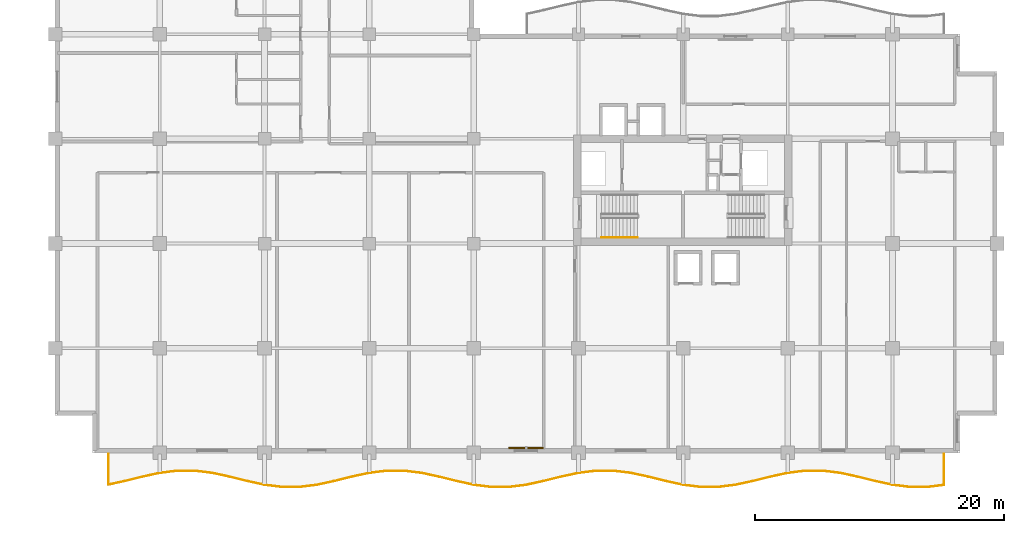
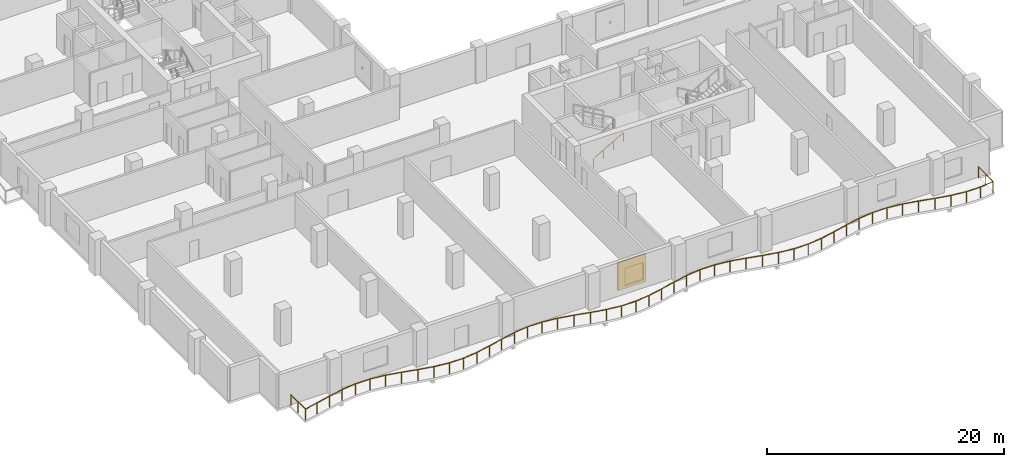
# One storey, part 12 of 15: 2 railings, 1 shading device.
"""IFC4 building model written with IfcOpenShell, lengths in metres."""

from ifc_helpers import new_model, si_unit, direction, frame, origin, origin_2d, place, context, subcontext, project, spatial, rectangle, circle, extrude, material, layer, layer_set, type_object, element, save


model = new_model("IFC4")

# Units and contexts
model_context = context("Model", 3, precision=1e-05, world=origin(), true_north=direction((0.0, 1.0)))
body_context = subcontext(model_context, "Body", "Model", "MODEL_VIEW")
ifc_project = project(units=[si_unit("LENGTHUNIT", "METRE"), si_unit("AREAUNIT", "SQUARE_METRE"), si_unit("VOLUMEUNIT", "CUBIC_METRE"), si_unit("PLANEANGLEUNIT", "RADIAN"), si_unit("MASSUNIT", "GRAM", prefix="KILO")], contexts=[model_context])

# Site, building, storey
site_placement = place(None, origin())
site = spatial("IfcSite", under=ifc_project, at=site_placement, CompositionType="ELEMENT")
building_placement = place(site_placement, origin())
building = spatial("IfcBuilding", under=site, at=building_placement, Name="Koriwani Terraces Tower", CompositionType="ELEMENT")
storey_placement = place(building_placement, frame((0.0, 0.0, 216.10009765625)))
storey = spatial("IfcBuildingStorey", under=building, at=storey_placement, Name="L53", CompositionType="ELEMENT", Elevation=216.10009765625)

# Railings
ifc_material_1 = material(Name="Steel ASTM A572 Grade 50", Category="steel")
railing_type_1 = type_object("IfcRailingType", Name="GUARD_BALUSTRADE_1150", PredefinedType="BALUSTRADE", material=ifc_material_1)
railing_1_placement = place(storey_placement, frame((4.280029296875, -0.080078125, 0.0)))
element("IfcRailing", 1, at=railing_1_placement, inside=storey, type_object=railing_type_1, Name="L53 Balcony Perimeter Safety Balustrade (S)", PredefinedType="BALUSTRADE", context=body_context, shape_type="SweptSolid", body=[
    extrude(circle(Radius=0.02392578125, at=origin_2d()), frame((0.0, 0.0, 1.1259765625), z_axis=(0.0, -1.0, 0.0), x_axis=(1.0, 0.0, 0.0)), (0.0, 0.0, 1.0), 2.47314453125),
    extrude(circle(Radius=0.02392578125, at=origin_2d()), frame((0.0, -2.47314453125, 1.1259765625), z_axis=(0.977409048335, 0.211356457751, 0.0), x_axis=(-0.211356457751, 0.977409048335, 0.0)), (0.0, 0.0, 1.0), 1.331787109375),
    extrude(circle(Radius=0.02392578125, at=origin_2d()), frame((1.3017578125, -2.191650390625, 1.1259765625), z_axis=(0.970251871253, 0.242097720621, 0.0), x_axis=(-0.242097720621, 0.970251871253, 0.0)), (0.0, 0.0, 1.0), 1.443115234375),
    extrude(circle(Radius=0.02392578125, at=origin_2d()), frame((2.701904296875, -1.84228515625, 1.1259765625), z_axis=(0.977453031353, 0.21115295759, 0.0), x_axis=(-0.21115295759, 0.977453031353, 0.0)), (0.0, 0.0, 1.0), 1.437255859375),
    extrude(circle(Radius=0.02392578125, at=origin_2d()), frame((4.106689453125, -1.538818359375, 1.1259765625), z_axis=(0.992320166908, 0.123695943136, 0.0), x_axis=(-0.123695943136, 0.992320166908, 0.0)), (0.0, 0.0, 1.0), 1.419189453125),
    extrude(circle(Radius=0.02392578125, at=origin_2d()), frame((5.514892578125, -1.36328125, 1.1259765625), z_axis=(1.0, 0.0, 0.0), x_axis=(0.0, 1.0, 0.0)), (0.0, 0.0, 1.0), 1.41015625),
    extrude(circle(Radius=0.02392578125, at=origin_2d()), frame((6.925048828125, -1.36328125, 1.1259765625), z_axis=(0.992320166908, -0.123695943136, 0.0), x_axis=(0.123695943136, 0.992320166908, 0.0)), (0.0, 0.0, 1.0), 1.419189453125),
    extrude(circle(Radius=0.02392578125, at=origin_2d()), frame((8.333251953125, -1.538818359375, 1.1259765625), z_axis=(0.977453031353, -0.21115295759, 0.0), x_axis=(0.21115295759, 0.977453031353, 0.0)), (0.0, 0.0, 1.0), 1.437255859375),
    extrude(circle(Radius=0.02392578125, at=origin_2d()), frame((9.738037109375, -1.84228515625, 1.1259765625), z_axis=(0.970251871253, -0.242097720621, 0.0), x_axis=(0.242097720621, 0.970251871253, 0.0)), (0.0, 0.0, 1.0), 1.443115234375),
    extrude(circle(Radius=0.02392578125, at=origin_2d()), frame((11.13818359375, -2.191650390625, 1.1259765625), z_axis=(0.977402706702, -0.211385782237, 0.0), x_axis=(0.211385782237, 0.977402706702, 0.0)), (0.0, 0.0, 1.0), 1.427490234375),
    extrude(circle(Radius=0.02392578125, at=origin_2d()), frame((12.533447265625, -2.493408203125, 1.1259765625), z_axis=(0.992309982997, -0.123777613669, 0.0), x_axis=(0.123777613669, 0.992309982997, 0.0)), (0.0, 0.0, 1.0), 1.40234375),
    extrude(circle(Radius=0.02392578125, at=origin_2d()), frame((13.925048828125, -2.6669921875, 1.1259765625), z_axis=(1.0, 0.0, 0.0), x_axis=(0.0, 1.0, 0.0)), (0.0, 0.0, 1.0), 1.389892578125),
    extrude(circle(Radius=0.02392578125, at=origin_2d()), frame((15.31494140625, -2.6669921875, 1.1259765625), z_axis=(0.992309982997, 0.123777613669, 0.0), x_axis=(-0.123777613669, 0.992309982997, 0.0)), (0.0, 0.0, 1.0), 1.40234375),
    extrude(circle(Radius=0.02392578125, at=origin_2d()), frame((16.70654296875, -2.493408203125, 1.1259765625), z_axis=(0.977402706702, 0.211385782237, 0.0), x_axis=(-0.211385782237, 0.977402706702, 0.0)), (0.0, 0.0, 1.0), 1.427490234375),
    extrude(circle(Radius=0.02392578125, at=origin_2d()), frame((18.101806640625, -2.191650390625, 1.1259765625), z_axis=(0.970251871253, 0.242097720621, 0.0), x_axis=(-0.242097720621, 0.970251871253, 0.0)), (0.0, 0.0, 1.0), 1.443115234375),
    extrude(circle(Radius=0.02392578125, at=origin_2d()), frame((19.501953125, -1.84228515625, 1.1259765625), z_axis=(0.977445455552, 0.211188023857, 0.0), x_axis=(-0.211188023857, 0.977445455552, 0.0)), (0.0, 0.0, 1.0), 1.43701171875),
    extrude(circle(Radius=0.02392578125, at=origin_2d()), frame((20.906494140625, -1.538818359375, 1.1259765625), z_axis=(0.992322798546, 0.123674829633, 0.0), x_axis=(-0.123674829633, 0.992322798546, 0.0)), (0.0, 0.0, 1.0), 1.41943359375),
    extrude(circle(Radius=0.02392578125, at=origin_2d()), frame((22.31494140625, -1.36328125, 1.1259765625), z_axis=(1.0, 0.0, 0.0), x_axis=(0.0, 1.0, 0.0)), (0.0, 0.0, 1.0), 1.409912109375),
    extrude(circle(Radius=0.02392578125, at=origin_2d()), frame((23.724853515625, -1.36328125, 1.1259765625), z_axis=(0.992322798546, -0.123674829633, 0.0), x_axis=(0.123674829633, 0.992322798546, 0.0)), (0.0, 0.0, 1.0), 1.41943359375),
    extrude(circle(Radius=0.02392578125, at=origin_2d()), frame((25.13330078125, -1.538818359375, 1.1259765625), z_axis=(0.977453031353, -0.21115295759, 0.0), x_axis=(0.21115295759, 0.977453031353, 0.0)), (0.0, 0.0, 1.0), 1.437255859375),
    extrude(circle(Radius=0.02392578125, at=origin_2d()), frame((26.5380859375, -1.84228515625, 1.1259765625), z_axis=(0.970241952903, -0.242137466795, 0.0), x_axis=(0.242137466795, 0.970241952903, 0.0)), (0.0, 0.0, 1.0), 1.44287109375),
    extrude(circle(Radius=0.02392578125, at=origin_2d()), frame((27.93798828125, -2.191650390625, 1.1259765625), z_axis=(0.977402706702, -0.211385782237, 0.0), x_axis=(0.211385782237, 0.977402706702, 0.0)), (0.0, 0.0, 1.0), 1.427490234375),
    extrude(circle(Radius=0.02392578125, at=origin_2d()), frame((29.333251953125, -2.493408203125, 1.1259765625), z_axis=(0.992309982997, -0.123777613669, 0.0), x_axis=(0.123777613669, 0.992309982997, 0.0)), (0.0, 0.0, 1.0), 1.40234375),
    extrude(circle(Radius=0.02392578125, at=origin_2d()), frame((30.724853515625, -2.6669921875, 1.1259765625), z_axis=(1.0, 0.0, 0.0), x_axis=(0.0, 1.0, 0.0)), (0.0, 0.0, 1.0), 1.39013671875),
    extrude(circle(Radius=0.02392578125, at=origin_2d()), frame((32.114990234375, -2.6669921875, 1.1259765625), z_axis=(0.992309982997, 0.123777613669, 0.0), x_axis=(-0.123777613669, 0.992309982997, 0.0)), (0.0, 0.0, 1.0), 1.40234375),
    extrude(circle(Radius=0.02392578125, at=origin_2d()), frame((33.506591796875, -2.493408203125, 1.1259765625), z_axis=(0.977402706702, 0.211385782237, 0.0), x_axis=(-0.211385782237, 0.977402706702, 0.0)), (0.0, 0.0, 1.0), 1.427490234375),
    extrude(circle(Radius=0.02392578125, at=origin_2d()), frame((34.90185546875, -2.191650390625, 1.1259765625), z_axis=(0.970241952903, 0.242137466795, 0.0), x_axis=(-0.242137466795, 0.970241952903, 0.0)), (0.0, 0.0, 1.0), 1.44287109375),
    extrude(circle(Radius=0.02392578125, at=origin_2d()), frame((36.3017578125, -1.84228515625, 1.1259765625), z_axis=(0.977453031353, 0.21115295759, 0.0), x_axis=(-0.21115295759, 0.977453031353, 0.0)), (0.0, 0.0, 1.0), 1.437255859375),
    extrude(circle(Radius=0.02392578125, at=origin_2d()), frame((37.70654296875, -1.538818359375, 1.1259765625), z_axis=(0.992322798546, 0.123674829633, 0.0), x_axis=(-0.123674829633, 0.992322798546, 0.0)), (0.0, 0.0, 1.0), 1.41943359375),
    extrude(circle(Radius=0.02392578125, at=origin_2d()), frame((39.114990234375, -1.36328125, 1.1259765625), z_axis=(1.0, 0.0, 0.0), x_axis=(0.0, 1.0, 0.0)), (0.0, 0.0, 1.0), 1.409912109375),
    extrude(circle(Radius=0.02392578125, at=origin_2d()), frame((40.52490234375, -1.36328125, 1.1259765625), z_axis=(0.992322798546, -0.123674829633, 0.0), x_axis=(0.123674829633, 0.992322798546, 0.0)), (0.0, 0.0, 1.0), 1.41943359375),
    extrude(circle(Radius=0.02392578125, at=origin_2d()), frame((41.933349609375, -1.538818359375, 1.1259765625), z_axis=(0.977453031353, -0.21115295759, 0.0), x_axis=(0.21115295759, 0.977453031353, 0.0)), (0.0, 0.0, 1.0), 1.437255859375),
    extrude(circle(Radius=0.02392578125, at=origin_2d()), frame((43.338134765625, -1.84228515625, 1.1259765625), z_axis=(0.970241952903, -0.242137466795, 0.0), x_axis=(0.242137466795, 0.970241952903, 0.0)), (0.0, 0.0, 1.0), 1.44287109375),
    extrude(circle(Radius=0.02392578125, at=origin_2d()), frame((44.738037109375, -2.191650390625, 1.1259765625), z_axis=(0.977402706702, -0.211385782237, 0.0), x_axis=(0.211385782237, 0.977402706702, 0.0)), (0.0, 0.0, 1.0), 1.427490234375),
    extrude(circle(Radius=0.02392578125, at=origin_2d()), frame((46.13330078125, -2.493408203125, 1.1259765625), z_axis=(0.992309982997, -0.123777613669, 0.0), x_axis=(0.123777613669, 0.992309982997, 0.0)), (0.0, 0.0, 1.0), 1.40234375),
    extrude(circle(Radius=0.02392578125, at=origin_2d()), frame((47.52490234375, -2.6669921875, 1.1259765625), z_axis=(1.0, 0.0, 0.0), x_axis=(0.0, 1.0, 0.0)), (0.0, 0.0, 1.0), 1.39013671875),
    extrude(circle(Radius=0.02392578125, at=origin_2d()), frame((48.9150390625, -2.6669921875, 1.1259765625), z_axis=(0.992309982997, 0.123777613669, 0.0), x_axis=(-0.123777613669, 0.992309982997, 0.0)), (0.0, 0.0, 1.0), 1.40234375),
    extrude(circle(Radius=0.02392578125, at=origin_2d()), frame((50.306640625, -2.493408203125, 1.1259765625), z_axis=(0.977402706702, 0.211385782237, 0.0), x_axis=(-0.211385782237, 0.977402706702, 0.0)), (0.0, 0.0, 1.0), 1.427490234375),
    extrude(circle(Radius=0.02392578125, at=origin_2d()), frame((51.701904296875, -2.191650390625, 1.1259765625), z_axis=(0.970241952903, 0.242137466795, 0.0), x_axis=(-0.242137466795, 0.970241952903, 0.0)), (0.0, 0.0, 1.0), 1.44287109375),
    extrude(circle(Radius=0.02392578125, at=origin_2d()), frame((53.101806640625, -1.84228515625, 1.1259765625), z_axis=(0.977453031353, 0.21115295759, 0.0), x_axis=(-0.21115295759, 0.977453031353, 0.0)), (0.0, 0.0, 1.0), 1.437255859375),
    extrude(circle(Radius=0.02392578125, at=origin_2d()), frame((54.506591796875, -1.538818359375, 1.1259765625), z_axis=(0.992322798546, 0.123674829633, 0.0), x_axis=(-0.123674829633, 0.992322798546, 0.0)), (0.0, 0.0, 1.0), 1.41943359375),
    extrude(circle(Radius=0.02392578125, at=origin_2d()), frame((55.9150390625, -1.36328125, 1.1259765625), z_axis=(1.0, 0.0, 0.0), x_axis=(0.0, 1.0, 0.0)), (0.0, 0.0, 1.0), 1.409912109375),
    extrude(circle(Radius=0.02392578125, at=origin_2d()), frame((57.324951171875, -1.36328125, 1.1259765625), z_axis=(0.992322798546, -0.123674829633, 0.0), x_axis=(0.123674829633, 0.992322798546, 0.0)), (0.0, 0.0, 1.0), 1.41943359375),
    extrude(circle(Radius=0.02392578125, at=origin_2d()), frame((58.7333984375, -1.538818359375, 1.1259765625), z_axis=(0.977453031353, -0.21115295759, 0.0), x_axis=(0.21115295759, 0.977453031353, 0.0)), (0.0, 0.0, 1.0), 1.437255859375),
    extrude(circle(Radius=0.02392578125, at=origin_2d()), frame((60.13818359375, -1.84228515625, 1.1259765625), z_axis=(0.970241952903, -0.242137466795, 0.0), x_axis=(0.242137466795, 0.970241952903, 0.0)), (0.0, 0.0, 1.0), 1.44287109375),
    extrude(circle(Radius=0.02392578125, at=origin_2d()), frame((61.5380859375, -2.191650390625, 1.1259765625), z_axis=(0.977402706702, -0.211385782237, 0.0), x_axis=(0.211385782237, 0.977402706702, 0.0)), (0.0, 0.0, 1.0), 1.427490234375),
    extrude(circle(Radius=0.02392578125, at=origin_2d()), frame((62.933349609375, -2.493408203125, 1.1259765625), z_axis=(0.992309982997, -0.123777613669, 0.0), x_axis=(0.123777613669, 0.992309982997, 0.0)), (0.0, 0.0, 1.0), 1.40234375),
    extrude(circle(Radius=0.02392578125, at=origin_2d()), frame((64.324951171875, -2.6669921875, 1.1259765625), z_axis=(1.0, 0.0, 0.0), x_axis=(0.0, 1.0, 0.0)), (0.0, 0.0, 1.0), 1.39013671875),
    extrude(circle(Radius=0.02392578125, at=origin_2d()), frame((65.715087890625, -2.6669921875, 1.1259765625), z_axis=(0.992308789115, 0.123787184491, 0.0), x_axis=(-0.123787184491, 0.992308789115, 0.0)), (0.0, 0.0, 1.0), 1.335205078125),
    extrude(circle(Radius=0.02392578125, at=origin_2d()), frame((67.0400390625, -2.501708984375, 1.1259765625), z_axis=(0.0, 1.0, 0.0), x_axis=(-1.0, 0.0, 0.0)), (0.0, 0.0, 1.0), 2.501708984375),
    extrude(circle(Radius=0.02099609375, at=origin_2d()), origin(), (0.0, 0.0, 1.0), 1.101806640625),
    extrude(circle(Radius=0.02099609375, at=origin_2d()), frame((0.0, -1.236572265625, 0.0)), (0.0, 0.0, 1.0), 1.101806640625),
    extrude(circle(Radius=0.02099609375, at=origin_2d()), frame((0.0, -2.47314453125, 0.0)), (0.0, 0.0, 1.0), 1.101806640625),
    extrude(circle(Radius=0.02099609375, at=origin_2d()), frame((1.3017578125, -2.191650390625, 0.0)), (0.0, 0.0, 1.0), 1.101806640625),
    extrude(circle(Radius=0.02099609375, at=origin_2d()), frame((2.701904296875, -1.84228515625, 0.0)), (0.0, 0.0, 1.0), 1.101806640625),
    extrude(circle(Radius=0.02099609375, at=origin_2d()), frame((4.106689453125, -1.538818359375, 0.0)), (0.0, 0.0, 1.0), 1.101806640625),
    extrude(circle(Radius=0.02099609375, at=origin_2d()), frame((5.514892578125, -1.36328125, 0.0)), (0.0, 0.0, 1.0), 1.101806640625),
    extrude(circle(Radius=0.02099609375, at=origin_2d()), frame((6.925048828125, -1.36328125, 0.0)), (0.0, 0.0, 1.0), 1.101806640625),
    extrude(circle(Radius=0.02099609375, at=origin_2d()), frame((8.333251953125, -1.538818359375, 0.0)), (0.0, 0.0, 1.0), 1.101806640625),
    extrude(circle(Radius=0.02099609375, at=origin_2d()), frame((9.738037109375, -1.84228515625, 0.0)), (0.0, 0.0, 1.0), 1.101806640625),
    extrude(circle(Radius=0.02099609375, at=origin_2d()), frame((11.13818359375, -2.191650390625, 0.0)), (0.0, 0.0, 1.0), 1.101806640625),
    extrude(circle(Radius=0.02099609375, at=origin_2d()), frame((12.533447265625, -2.493408203125, 0.0)), (0.0, 0.0, 1.0), 1.101806640625),
    extrude(circle(Radius=0.02099609375, at=origin_2d()), frame((13.925048828125, -2.6669921875, 0.0)), (0.0, 0.0, 1.0), 1.101806640625),
    extrude(circle(Radius=0.02099609375, at=origin_2d()), frame((15.31494140625, -2.6669921875, 0.0)), (0.0, 0.0, 1.0), 1.101806640625),
    extrude(circle(Radius=0.02099609375, at=origin_2d()), frame((16.70654296875, -2.493408203125, 0.0)), (0.0, 0.0, 1.0), 1.101806640625),
    extrude(circle(Radius=0.02099609375, at=origin_2d()), frame((18.101806640625, -2.191650390625, 0.0)), (0.0, 0.0, 1.0), 1.101806640625),
    extrude(circle(Radius=0.02099609375, at=origin_2d()), frame((19.501953125, -1.84228515625, 0.0)), (0.0, 0.0, 1.0), 1.101806640625),
    extrude(circle(Radius=0.02099609375, at=origin_2d()), frame((20.906494140625, -1.538818359375, 0.0)), (0.0, 0.0, 1.0), 1.101806640625),
    extrude(circle(Radius=0.02099609375, at=origin_2d()), frame((22.31494140625, -1.36328125, 0.0)), (0.0, 0.0, 1.0), 1.101806640625),
    extrude(circle(Radius=0.02099609375, at=origin_2d()), frame((23.724853515625, -1.36328125, 0.0)), (0.0, 0.0, 1.0), 1.101806640625),
    extrude(circle(Radius=0.02099609375, at=origin_2d()), frame((25.13330078125, -1.538818359375, 0.0)), (0.0, 0.0, 1.0), 1.101806640625),
    extrude(circle(Radius=0.02099609375, at=origin_2d()), frame((26.5380859375, -1.84228515625, 0.0)), (0.0, 0.0, 1.0), 1.101806640625),
    extrude(circle(Radius=0.02099609375, at=origin_2d()), frame((27.93798828125, -2.191650390625, 0.0)), (0.0, 0.0, 1.0), 1.101806640625),
    extrude(circle(Radius=0.02099609375, at=origin_2d()), frame((29.333251953125, -2.493408203125, 0.0)), (0.0, 0.0, 1.0), 1.101806640625),
    extrude(circle(Radius=0.02099609375, at=origin_2d()), frame((30.724853515625, -2.6669921875, 0.0)), (0.0, 0.0, 1.0), 1.101806640625),
    extrude(circle(Radius=0.02099609375, at=origin_2d()), frame((32.114990234375, -2.6669921875, 0.0)), (0.0, 0.0, 1.0), 1.101806640625),
    extrude(circle(Radius=0.02099609375, at=origin_2d()), frame((33.506591796875, -2.493408203125, 0.0)), (0.0, 0.0, 1.0), 1.101806640625),
    extrude(circle(Radius=0.02099609375, at=origin_2d()), frame((34.90185546875, -2.191650390625, 0.0)), (0.0, 0.0, 1.0), 1.101806640625),
    extrude(circle(Radius=0.02099609375, at=origin_2d()), frame((36.3017578125, -1.84228515625, 0.0)), (0.0, 0.0, 1.0), 1.101806640625),
    extrude(circle(Radius=0.02099609375, at=origin_2d()), frame((37.70654296875, -1.538818359375, 0.0)), (0.0, 0.0, 1.0), 1.101806640625),
    extrude(circle(Radius=0.02099609375, at=origin_2d()), frame((39.114990234375, -1.36328125, 0.0)), (0.0, 0.0, 1.0), 1.101806640625),
    extrude(circle(Radius=0.02099609375, at=origin_2d()), frame((40.52490234375, -1.36328125, 0.0)), (0.0, 0.0, 1.0), 1.101806640625),
    extrude(circle(Radius=0.02099609375, at=origin_2d()), frame((41.933349609375, -1.538818359375, 0.0)), (0.0, 0.0, 1.0), 1.101806640625),
    extrude(circle(Radius=0.02099609375, at=origin_2d()), frame((43.338134765625, -1.84228515625, 0.0)), (0.0, 0.0, 1.0), 1.101806640625),
    extrude(circle(Radius=0.02099609375, at=origin_2d()), frame((44.738037109375, -2.191650390625, 0.0)), (0.0, 0.0, 1.0), 1.101806640625),
    extrude(circle(Radius=0.02099609375, at=origin_2d()), frame((46.13330078125, -2.493408203125, 0.0)), (0.0, 0.0, 1.0), 1.101806640625),
    extrude(circle(Radius=0.02099609375, at=origin_2d()), frame((47.52490234375, -2.6669921875, 0.0)), (0.0, 0.0, 1.0), 1.101806640625),
    extrude(circle(Radius=0.02099609375, at=origin_2d()), frame((48.9150390625, -2.6669921875, 0.0)), (0.0, 0.0, 1.0), 1.101806640625),
    extrude(circle(Radius=0.02099609375, at=origin_2d()), frame((50.306640625, -2.493408203125, 0.0)), (0.0, 0.0, 1.0), 1.101806640625),
    extrude(circle(Radius=0.02099609375, at=origin_2d()), frame((51.701904296875, -2.191650390625, 0.0)), (0.0, 0.0, 1.0), 1.101806640625),
    extrude(circle(Radius=0.02099609375, at=origin_2d()), frame((53.101806640625, -1.84228515625, 0.0)), (0.0, 0.0, 1.0), 1.101806640625),
    extrude(circle(Radius=0.02099609375, at=origin_2d()), frame((54.506591796875, -1.538818359375, 0.0)), (0.0, 0.0, 1.0), 1.101806640625),
    extrude(circle(Radius=0.02099609375, at=origin_2d()), frame((55.9150390625, -1.36328125, 0.0)), (0.0, 0.0, 1.0), 1.101806640625),
    extrude(circle(Radius=0.02099609375, at=origin_2d()), frame((57.324951171875, -1.36328125, 0.0)), (0.0, 0.0, 1.0), 1.101806640625),
    extrude(circle(Radius=0.02099609375, at=origin_2d()), frame((58.7333984375, -1.538818359375, 0.0)), (0.0, 0.0, 1.0), 1.101806640625),
    extrude(circle(Radius=0.02099609375, at=origin_2d()), frame((60.13818359375, -1.84228515625, 0.0)), (0.0, 0.0, 1.0), 1.101806640625),
    extrude(circle(Radius=0.02099609375, at=origin_2d()), frame((61.5380859375, -2.191650390625, 0.0)), (0.0, 0.0, 1.0), 1.101806640625),
    extrude(circle(Radius=0.02099609375, at=origin_2d()), frame((62.933349609375, -2.493408203125, 0.0)), (0.0, 0.0, 1.0), 1.101806640625),
    extrude(circle(Radius=0.02099609375, at=origin_2d()), frame((64.324951171875, -2.6669921875, 0.0)), (0.0, 0.0, 1.0), 1.101806640625),
    extrude(circle(Radius=0.02099609375, at=origin_2d()), frame((65.715087890625, -2.6669921875, 0.0)), (0.0, 0.0, 1.0), 1.101806640625),
    extrude(circle(Radius=0.02099609375, at=origin_2d()), frame((67.0400390625, -2.501708984375, 0.0)), (0.0, 0.0, 1.0), 1.101806640625),
    extrude(circle(Radius=0.02099609375, at=origin_2d()), frame((67.0400390625, -1.2509765625, 0.0)), (0.0, 0.0, 1.0), 1.101806640625),
    extrude(circle(Radius=0.02099609375, at=origin_2d()), frame((67.0400390625, 0.0, 0.0)), (0.0, 0.0, 1.0), 1.101806640625),
])
railing_type_2 = type_object("IfcRailingType", Name="HANDRAIL_STAIR_920", PredefinedType="HANDRAIL", material=ifc_material_1)
railing_2_placement = place(storey_placement, frame((43.85009765625, 17.300048828125, 0.16796875)))
element("IfcRailing", 2, at=railing_2_placement, inside=storey, type_object=railing_type_2, Name="L53 ST-E1 stair handrail 1", PredefinedType="HANDRAIL", context=body_context, shape_type="SweptSolid", body=[
    extrude(circle(Radius=0.02392578125, at=origin_2d()), frame((0.0, 0.0, 0.8759765625), z_axis=(0.865038774852, 0.0, 0.501705010941), x_axis=(0.0, 1.0, 0.0)), (0.0, 0.0, 1.0), 3.352294921875),
    extrude(circle(Radius=0.02099609375, at=origin_2d()), origin(), (0.0, 0.0, 1.0), 0.851806640625),
    extrude(circle(Radius=0.02099609375, at=origin_2d()), frame((0.966552734375, 0.0, 0.560546875)), (0.0, 0.0, 1.0), 0.851806640625),
    extrude(circle(Radius=0.02099609375, at=origin_2d()), frame((1.933349609375, 0.0, 1.121337890625)), (0.0, 0.0, 1.0), 0.851806640625),
    extrude(circle(Radius=0.02099609375, at=origin_2d()), frame((2.89990234375, 0.0, 1.681884765625)), (0.0, 0.0, 1.0), 0.851806640625),
])

# Shading device
ifc_material_2 = material(Name="Extruded Terracotta Clay", Category="masonry")
ifc_layer = layer(ifc_material_2, 0.1201171875, Name="Extruded Terracotta Clay")
ifc_layer_set = layer_set([ifc_layer], Name="Extruded Terracotta Clay")
shading_device_type = type_object("IfcShadingDeviceType", Name="TERRACOTTA_BAGUETTE_SCREEN_2800", PredefinedType="USERDEFINED", material=ifc_layer_set)
shading_device_placement = place(storey_placement, frame((37.800048828125, 0.405029296875, 0.284912109375), z_axis=(0.0, 0.0, 1.0), x_axis=(-1.0, 0.0, 0.0)))
element("IfcShadingDevice", 3, at=shading_device_placement, inside=storey, type_object=shading_device_type, Name="L53 Extruded Terracotta Baguette Screen (S-12)", ObjectType="BAGUETTE", PredefinedType="USERDEFINED", context=body_context, shape_type="SweptSolid", body=[
    extrude(rectangle(XDim=2.760009765625, YDim=0.1201171875, at=origin_2d()), origin(), (0.0, 0.0, 1.0), 2.89990234375),
])

save(model, "model.ifc")
